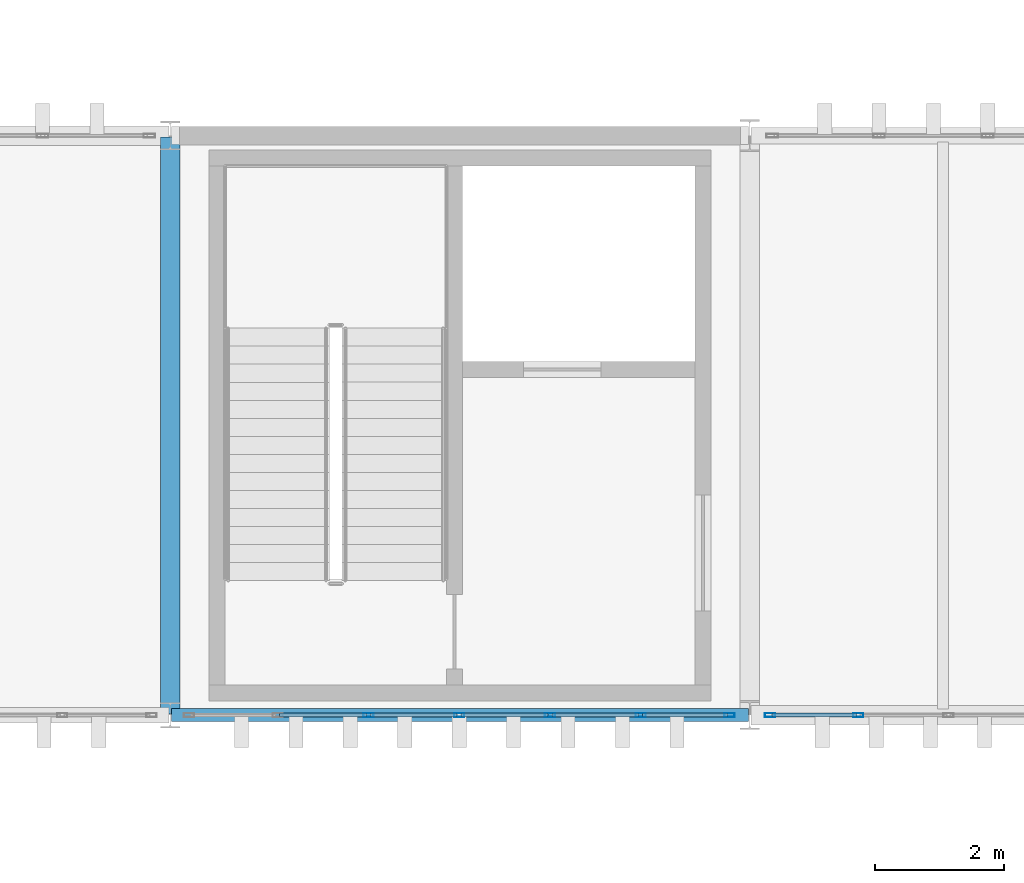
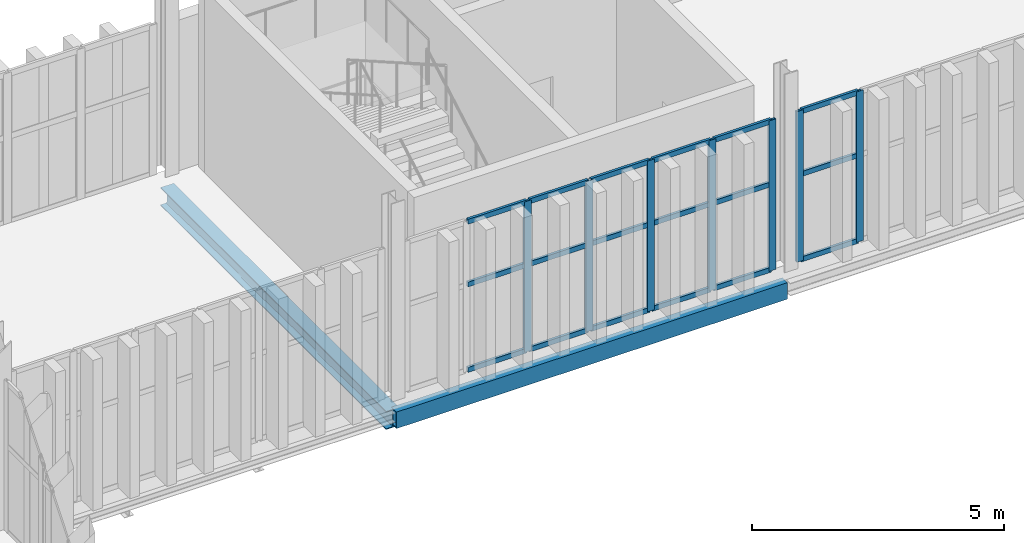
# One storey, part 136 of 196: 25 members, 2 beams, 2 elements without a shape of their own.
"""IFC4 building model written with IfcOpenShell, lengths in metres."""

import ifcopenshell
import ifcopenshell.guid

model = None  # the IFC model being written
_history = None  # IfcOwnerHistory: only IFC2X3 demands one
_inside = {}  # id of a spatial element -> (the spatial element, [elements in it])
_under = {}  # id of a project, library or spatial element -> (it, [spatial elements below it])
_declared = {}  # id of a project -> (the project, [libraries it declares])
_typed = {}  # id of a type object -> (the type object, [elements of that type])
_made_of = {}  # id of a material, layer set ... -> (it, [elements and type objects made of it])


def new_model(schema):
    """Start an empty IFC model of exactly this schema.

    Asked for "IFC4X3", IfcOpenShell would pick the latest addendum, in which some entities
    have other attributes; the version numbers below select the first issue.
    IFC2X3 requires an IfcOwnerHistory on every rooted entity: one is made here for all.
    """
    global model, _history
    if schema == "IFC4X3":
        model = ifcopenshell.file(schema_version=(4, 3, 0, 0))
    else:
        model = ifcopenshell.file(schema=schema)
    _inside.clear()
    _under.clear()
    _declared.clear()
    _typed.clear()
    _made_of.clear()
    _history = None
    if model.schema == "IFC2X3":
        org = make("IfcOrganization", Name="unknown")
        user = make(
            "IfcPersonAndOrganization",
            ThePerson=make("IfcPerson", FamilyName="unknown"),
            TheOrganization=org,
        )
        app = make(
            "IfcApplication",
            ApplicationDeveloper=org,
            Version="unknown",
            ApplicationFullName="unknown",
            ApplicationIdentifier="unknown",
        )
        _history = make(
            "IfcOwnerHistory",
            OwningUser=user,
            OwningApplication=app,
            ChangeAction="ADDED",
            CreationDate=0,
        )
    return model


def make(cls, **values):
    """One entity of the class cls with the attributes given. An attribute that is None is left unset."""
    return model.create_entity(
        cls, **{name: value for name, value in values.items() if value is not None}
    )


def rooted(cls, **values):
    """An entity with a GlobalId (a new one), such as an element, a storey or a relation."""
    return make(cls, GlobalId=ifcopenshell.guid.new(), OwnerHistory=_history, **values)


def si_unit(unit_type, name, prefix=None):
    """IfcSIUnit, for example si_unit("LENGTHUNIT", "METRE", prefix="MILLI")."""
    return make("IfcSIUnit", UnitType=unit_type, Prefix=prefix, Name=name)


def assignment(units):
    """IfcUnitAssignment: the units of a project."""
    return None if units is None else make("IfcUnitAssignment", Units=units)


def point(xyz):
    """IfcCartesianPoint."""
    return None if xyz is None else make("IfcCartesianPoint", Coordinates=xyz)


def direction(xyz):
    """IfcDirection."""
    return None if xyz is None else make("IfcDirection", DirectionRatios=xyz)


def frame(location, z_axis=None, x_axis=None):
    """IfcAxis2Placement3D, a coordinate frame: its origin and axes. An axis left out is left unset."""
    return make(
        "IfcAxis2Placement3D",
        Location=point(location),
        Axis=direction(z_axis),
        RefDirection=direction(x_axis),
    )


def frame_2d(location, x_axis=None):
    """IfcAxis2Placement2D, a coordinate frame in the plane: its origin and x axis."""
    return make(
        "IfcAxis2Placement2D", Location=point(location), RefDirection=direction(x_axis)
    )


def origin():
    """The frame at (0, 0, 0) with its axes left unset."""
    return frame((0.0, 0.0, 0.0))


def origin_2d():
    """The frame at (0, 0) in the plane with its x axis left unset."""
    return frame_2d((0.0, 0.0))


def place(relative_to, where):
    """IfcLocalPlacement: puts the frame where relative to a parent placement (None: the world)."""
    return make(
        "IfcLocalPlacement", PlacementRelTo=relative_to, RelativePlacement=where
    )


def context(
    kind, dimensions, precision=None, world=None, true_north=None, identifier=None
):
    """IfcGeometricRepresentationContext, for example the 3D "Model" context."""
    return make(
        "IfcGeometricRepresentationContext",
        ContextIdentifier=identifier,
        ContextType=kind,
        CoordinateSpaceDimension=dimensions,
        Precision=precision,
        WorldCoordinateSystem=world,
        TrueNorth=true_north,
    )


def subcontext(parent, identifier, kind, view, scale=None):
    """IfcGeometricRepresentationSubContext, for example "Body" below "Model"."""
    return make(
        "IfcGeometricRepresentationSubContext",
        ContextIdentifier=identifier,
        ContextType=kind,
        ParentContext=parent,
        TargetScale=scale,
        TargetView=view,
    )


def project(units=None, contexts=None):
    """IfcProject with its units and contexts."""
    return rooted(
        "IfcProject",
        Name="project",
        RepresentationContexts=contexts,
        UnitsInContext=assignment(units),
    )


def spatial(cls, under=None, at=None, **own):
    """A site, building, storey or space (cls), placed at a placement, below another one or the project."""
    s = rooted(cls, ObjectPlacement=at, **own)
    if under is not None:
        _under.setdefault(under.id(), (under, []))[1].append(s)
    return s


def profile(cls, at=None, kind="AREA", **sizes):
    """A parametric profile (cls). Its sizes go by their IFC names, for example OverallWidth=200.0."""
    return make(cls, ProfileType=kind, Position=at, **sizes)


def hollow_rectangle(**sizes):
    """IfcRectangleHollowProfileDef."""
    return profile("IfcRectangleHollowProfileDef", **sizes)


def i_section(**sizes):
    """IfcIShapeProfileDef."""
    return profile("IfcIShapeProfileDef", **sizes)


def extrude(swept, where, along, depth):
    """IfcExtrudedAreaSolid: the profile swept, set in the frame where, extruded along a direction by depth."""
    return make(
        "IfcExtrudedAreaSolid",
        SweptArea=swept,
        Position=where,
        ExtrudedDirection=direction(along),
        Depth=depth,
    )


def shape(context_of_items, identifier, shape_type, items):
    """IfcShapeRepresentation: the items that make up one representation, for example the "Body"."""
    return make(
        "IfcShapeRepresentation",
        ContextOfItems=context_of_items,
        RepresentationIdentifier=identifier,
        RepresentationType=shape_type,
        Items=items,
    )


def material(Name=None, Category=None):
    """IfcMaterial."""
    return make("IfcMaterial", Name=Name, Category=Category)


def layer(
    of_material, thickness, ventilated=None, Name=None, Category=None, Priority=None
):
    """IfcMaterialLayer: one layer of a wall or slab, of a material (None: an air gap)."""
    return make(
        "IfcMaterialLayer",
        Material=of_material,
        LayerThickness=thickness,
        IsVentilated=ventilated,
        Name=Name,
        Category=Category,
        Priority=Priority,
    )


def layer_set(layers, Name=None):
    """IfcMaterialLayerSet."""
    return make("IfcMaterialLayerSet", MaterialLayers=layers, LayerSetName=Name)


def material_profile(
    of_material, cross_section, Name=None, Category=None, Priority=None
):
    """IfcMaterialProfile: a cross section and its material."""
    return make(
        "IfcMaterialProfile",
        Name=Name,
        Material=of_material,
        Profile=cross_section,
        Priority=Priority,
        Category=Category,
    )


def profile_set(profiles, Name=None, composite=None):
    """IfcMaterialProfileSet."""
    return make(
        "IfcMaterialProfileSet",
        Name=Name,
        MaterialProfiles=profiles,
        CompositeProfile=composite,
    )


def made_of(thing, what):
    """Note that an element or type object is made of a material, layer set ...; save() writes the relation."""
    if what is not None:
        _made_of.setdefault(what.id(), (what, []))[1].append(thing)
    return thing


def type_object(cls, material=None, **own):
    """A type object (cls), such as IfcWallType, which elements share."""
    return made_of(rooted(cls, **own), material)


def element(
    cls,
    number,
    at=None,
    inside=None,
    cuts=None,
    type_object=None,
    material=None,
    context=None,
    identifier="Body",
    shape_type=None,
    held_by="IfcProductDefinitionShape",
    body=None,
    shapes=None,
    **own,
):
    """One element of the class cls, such as IfcWall. Its Tag is "e" and its number.

    at: its placement. inside: the storey or other place that contains it. cuts: it is an
    opening in that element (IfcRelVoidsElement). A single representation is given by context,
    identifier, shape_type and body (its items); several are given by shapes. held_by: the class
    of the entity that holds the representations. save() writes the other relations.
    """
    e = rooted(cls, Tag="e%d" % number, ObjectPlacement=at, **own)
    if body is not None:
        shapes = [shape(context, identifier, shape_type, body)]
    if shapes is not None:
        e.Representation = make(held_by, Representations=shapes)
    if inside is not None:
        _inside.setdefault(inside.id(), (inside, []))[1].append(e)
    if cuts is not None:
        rooted(
            "IfcRelVoidsElement", RelatingBuildingElement=cuts, RelatedOpeningElement=e
        )
    if type_object is not None:
        _typed.setdefault(type_object.id(), (type_object, []))[1].append(e)
    return made_of(e, material)


def aggregate(whole, parts):
    """IfcRelAggregates: a whole, such as a stair, and the parts it consists of."""
    return rooted("IfcRelAggregates", RelatingObject=whole, RelatedObjects=parts)


def save(model, path):
    """Write the relations noted so far, then the file.

    IfcRelAggregates (storeys below a building ...), IfcRelContainedInSpatialStructure (elements
    in a storey), IfcRelDefinesByType, IfcRelAssociatesMaterial and IfcRelDeclares: one each for
    every whole, place, type object, material and project.
    """
    for whole, parts in _under.values():
        aggregate(whole, parts)
    for where, things in _inside.values():
        rooted(
            "IfcRelContainedInSpatialStructure",
            RelatedElements=things,
            RelatingStructure=where,
        )
    for kind, things in _typed.values():
        rooted("IfcRelDefinesByType", RelatedObjects=things, RelatingType=kind)
    for what, things in _made_of.values():
        rooted("IfcRelAssociatesMaterial", RelatedObjects=things, RelatingMaterial=what)
    for by, libraries in _declared.values():
        rooted("IfcRelDeclares", RelatingContext=by, RelatedDefinitions=libraries)
    model.write(path)


model = new_model("IFC4")

# Units and contexts
model_context = context("Model", 3, precision=1e-05, world=origin(), true_north=direction((0.0, 1.0)))
body_context = subcontext(model_context, "Body", "Model", "MODEL_VIEW")
ifc_project = project(units=[si_unit("LENGTHUNIT", "METRE"), si_unit("AREAUNIT", "SQUARE_METRE"), si_unit("VOLUMEUNIT", "CUBIC_METRE"), si_unit("PLANEANGLEUNIT", "RADIAN"), si_unit("MASSUNIT", "GRAM", prefix="KILO")], contexts=[model_context])

# Site, building, storey
site_placement = place(None, origin())
site = spatial("IfcSite", under=ifc_project, at=site_placement, CompositionType="ELEMENT")
building_placement = place(site_placement, origin())
building = spatial("IfcBuilding", under=site, at=building_placement, Name="Barlavento Convention Centre", CompositionType="ELEMENT")
storey_placement = place(building_placement, frame((0.0, 0.0, 18.0)))
storey = spatial("IfcBuildingStorey", under=building, at=storey_placement, Name="L03", CompositionType="ELEMENT", Elevation=18.0)

# Curtain wall, members
ifc_material_1 = material(Name="Powder-coated aluminium and Low-E glass", Category="aluminium")
ifc_layer = layer(ifc_material_1, 0.179931640625)
ifc_layer_set = layer_set([ifc_layer], Name="ARC-CW-PATIO-B")
curtain_wall_type = type_object("IfcCurtainWallType", Name="ARC-CW-PATIO-B", PredefinedType="NOTDEFINED", material=ifc_layer_set)
curtain_wall_1_placement = place(storey_placement, origin())
curtain_wall_1 = element("IfcCurtainWall", 1, at=curtain_wall_1_placement, inside=storey, type_object=curtain_wall_type, Name="L03 unitised curtain wall CW12", PredefinedType="NOTDEFINED")
ifc_material_2 = material(Name="Powder-coated aluminium", Category="aluminium")
ifc_material_profile_1 = material_profile(ifc_material_2, hollow_rectangle(XDim=0.06005859375, YDim=0.159912109375, WallThickness=0.00390625, at=origin_2d()), Name="AL-MULL 60x160x4")
ifc_profile_set_1 = profile_set([ifc_material_profile_1], Name="Powder-coated aluminium")
member_type_1 = type_object("IfcMemberType", Name="ARC-CWM-60X160", PredefinedType="MULLION", material=ifc_profile_set_1)
member_1_placement = place(storey_placement, frame((147.078369140625, 90.0, 0.0), z_axis=(0.0, 0.0, 1.0), x_axis=(0.0, 1.0, 0.0)))
member_1 = element("IfcMember", 2, at=member_1_placement, type_object=member_type_1, Name="CW12 mullion 3", PredefinedType="MULLION", context=body_context, shape_type="SweptSolid", body=[
    extrude(hollow_rectangle(XDim=0.06005859375, YDim=0.159912109375, WallThickness=0.00390625, at=origin_2d()), origin(), (0.0, 0.0, 1.0), 3.64990234375),
])
member_2_placement = place(storey_placement, frame((148.487548828125, 90.0, 0.0), z_axis=(0.0, 0.0, 1.0), x_axis=(0.0, 1.0, 0.0)))
member_2 = element("IfcMember", 3, at=member_2_placement, type_object=member_type_1, Name="CW12 mullion 4", PredefinedType="MULLION", context=body_context, shape_type="SweptSolid", body=[
    extrude(hollow_rectangle(XDim=0.06005859375, YDim=0.159912109375, WallThickness=0.00390625, at=origin_2d()), origin(), (0.0, 0.0, 1.0), 3.64990234375),
])
member_3_placement = place(storey_placement, frame((149.896728515625, 90.0, 0.0), z_axis=(0.0, 0.0, 1.0), x_axis=(0.0, 1.0, 0.0)))
member_3 = element("IfcMember", 4, at=member_3_placement, type_object=member_type_1, Name="CW12 mullion 5", PredefinedType="MULLION", context=body_context, shape_type="SweptSolid", body=[
    extrude(hollow_rectangle(XDim=0.06005859375, YDim=0.159912109375, WallThickness=0.00390625, at=origin_2d()), origin(), (0.0, 0.0, 1.0), 3.64990234375),
])
member_4_placement = place(storey_placement, frame((151.305908203125, 90.0, 0.0), z_axis=(0.0, 0.0, 1.0), x_axis=(0.0, 1.0, 0.0)))
member_4 = element("IfcMember", 5, at=member_4_placement, type_object=member_type_1, Name="CW12 mullion 6", PredefinedType="MULLION", context=body_context, shape_type="SweptSolid", body=[
    extrude(hollow_rectangle(XDim=0.06005859375, YDim=0.159912109375, WallThickness=0.00390625, at=origin_2d()), origin(), (0.0, 0.0, 1.0), 3.64990234375),
])
member_5_placement = place(storey_placement, frame((152.68505859375, 90.0, 0.0), z_axis=(0.0, 0.0, 1.0), x_axis=(0.0, 1.0, 0.0)))
member_5 = element("IfcMember", 6, at=member_5_placement, type_object=member_type_1, Name="CW12 mullion 7", PredefinedType="MULLION", context=body_context, shape_type="SweptSolid", body=[
    extrude(hollow_rectangle(XDim=0.06005859375, YDim=0.159912109375, WallThickness=0.00390625, at=origin_2d()), origin(), (0.0, 0.0, 1.0), 3.64990234375),
])

curtain_wall_2_placement = place(storey_placement, origin())
curtain_wall_2 = element("IfcCurtainWall", 7, at=curtain_wall_2_placement, inside=storey, type_object=curtain_wall_type, Name="L03 unitised curtain wall CW12", PredefinedType="NOTDEFINED")
member_6_placement = place(storey_placement, frame((153.31494140625, 90.0, 0.0), z_axis=(0.0, 0.0, 1.0), x_axis=(0.0, 1.0, 0.0)))
member_6 = element("IfcMember", 8, at=member_6_placement, type_object=member_type_1, Name="CW12 mullion 1", PredefinedType="MULLION", context=body_context, shape_type="SweptSolid", body=[
    extrude(hollow_rectangle(XDim=0.06005859375, YDim=0.159912109375, WallThickness=0.00390625, at=origin_2d()), origin(), (0.0, 0.0, 1.0), 3.64990234375),
])
member_7_placement = place(storey_placement, frame((154.685791015625, 90.0, 0.0), z_axis=(0.0, 0.0, 1.0), x_axis=(0.0, 1.0, 0.0)))
member_7 = element("IfcMember", 9, at=member_7_placement, type_object=member_type_1, Name="CW12 mullion 2", PredefinedType="MULLION", context=body_context, shape_type="SweptSolid", body=[
    extrude(hollow_rectangle(XDim=0.06005859375, YDim=0.159912109375, WallThickness=0.00390625, at=origin_2d()), origin(), (0.0, 0.0, 1.0), 3.64990234375),
])

# Member
ifc_material_profile_2 = material_profile(ifc_material_2, hollow_rectangle(XDim=0.06005859375, YDim=0.1201171875, WallThickness=0.00390625, at=origin_2d()), Name="AL-TRAN 60x120x4")
ifc_profile_set_2 = profile_set([ifc_material_profile_2], Name="Powder-coated aluminium")
member_type_2 = type_object("IfcMemberType", Name="ARC-CWT-60X120", PredefinedType="USERDEFINED", material=ifc_profile_set_2)
member_8_placement = place(storey_placement, frame((145.69921875, 90.0, 0.030029296875), z_axis=(1.0, 0.0, 0.0), x_axis=(0.0, 1.0, 0.0)))
member_8 = element("IfcMember", 10, at=member_8_placement, type_object=member_type_2, Name="CW12 transom 2.1", ObjectType="TRANSOM", PredefinedType="USERDEFINED", context=body_context, shape_type="SweptSolid", body=[
    extrude(hollow_rectangle(XDim=0.06005859375, YDim=0.1201171875, WallThickness=0.00390625, at=origin_2d()), origin(), (0.0, 0.0, 1.0), 1.34912109375),
])

member_9_placement = place(storey_placement, frame((145.69921875, 90.0, 2.10009765625), z_axis=(1.0, 0.0, 0.0), x_axis=(0.0, 1.0, 0.0)))
member_9 = element("IfcMember", 11, at=member_9_placement, type_object=member_type_2, Name="CW12 transom 2.2", ObjectType="TRANSOM", PredefinedType="USERDEFINED", context=body_context, shape_type="SweptSolid", body=[
    extrude(hollow_rectangle(XDim=0.06005859375, YDim=0.1201171875, WallThickness=0.00390625, at=origin_2d()), origin(), (0.0, 0.0, 1.0), 1.34912109375),
])

member_10_placement = place(storey_placement, frame((145.69921875, 90.0, 3.6201171875), z_axis=(1.0, 0.0, 0.0), x_axis=(0.0, 1.0, 0.0)))
member_10 = element("IfcMember", 12, at=member_10_placement, type_object=member_type_2, Name="CW12 transom 2.3", ObjectType="TRANSOM", PredefinedType="USERDEFINED", context=body_context, shape_type="SweptSolid", body=[
    extrude(hollow_rectangle(XDim=0.06005859375, YDim=0.1201171875, WallThickness=0.00390625, at=origin_2d()), origin(), (0.0, 0.0, 1.0), 1.34912109375),
])

member_11_placement = place(storey_placement, frame((147.1083984375, 90.0, 0.030029296875), z_axis=(1.0, 0.0, 0.0), x_axis=(0.0, 1.0, 0.0)))
member_11 = element("IfcMember", 13, at=member_11_placement, type_object=member_type_2, Name="CW12 transom 3.1", ObjectType="TRANSOM", PredefinedType="USERDEFINED", context=body_context, shape_type="SweptSolid", body=[
    extrude(hollow_rectangle(XDim=0.06005859375, YDim=0.1201171875, WallThickness=0.00390625, at=origin_2d()), origin(), (0.0, 0.0, 1.0), 1.34912109375),
])

member_12_placement = place(storey_placement, frame((147.1083984375, 90.0, 2.10009765625), z_axis=(1.0, 0.0, 0.0), x_axis=(0.0, 1.0, 0.0)))
member_12 = element("IfcMember", 14, at=member_12_placement, type_object=member_type_2, Name="CW12 transom 3.2", ObjectType="TRANSOM", PredefinedType="USERDEFINED", context=body_context, shape_type="SweptSolid", body=[
    extrude(hollow_rectangle(XDim=0.06005859375, YDim=0.1201171875, WallThickness=0.00390625, at=origin_2d()), origin(), (0.0, 0.0, 1.0), 1.34912109375),
])

member_13_placement = place(storey_placement, frame((147.1083984375, 90.0, 3.6201171875), z_axis=(1.0, 0.0, 0.0), x_axis=(0.0, 1.0, 0.0)))
member_13 = element("IfcMember", 15, at=member_13_placement, type_object=member_type_2, Name="CW12 transom 3.3", ObjectType="TRANSOM", PredefinedType="USERDEFINED", context=body_context, shape_type="SweptSolid", body=[
    extrude(hollow_rectangle(XDim=0.06005859375, YDim=0.1201171875, WallThickness=0.00390625, at=origin_2d()), origin(), (0.0, 0.0, 1.0), 1.34912109375),
])

member_14_placement = place(storey_placement, frame((148.517578125, 90.0, 0.030029296875), z_axis=(1.0, 0.0, 0.0), x_axis=(0.0, 1.0, 0.0)))
member_14 = element("IfcMember", 16, at=member_14_placement, type_object=member_type_2, Name="CW12 transom 4.1", ObjectType="TRANSOM", PredefinedType="USERDEFINED", context=body_context, shape_type="SweptSolid", body=[
    extrude(hollow_rectangle(XDim=0.06005859375, YDim=0.1201171875, WallThickness=0.00390625, at=origin_2d()), origin(), (0.0, 0.0, 1.0), 1.34912109375),
])

member_15_placement = place(storey_placement, frame((148.517578125, 90.0, 2.10009765625), z_axis=(1.0, 0.0, 0.0), x_axis=(0.0, 1.0, 0.0)))
member_15 = element("IfcMember", 17, at=member_15_placement, type_object=member_type_2, Name="CW12 transom 4.2", ObjectType="TRANSOM", PredefinedType="USERDEFINED", context=body_context, shape_type="SweptSolid", body=[
    extrude(hollow_rectangle(XDim=0.06005859375, YDim=0.1201171875, WallThickness=0.00390625, at=origin_2d()), origin(), (0.0, 0.0, 1.0), 1.34912109375),
])

member_16_placement = place(storey_placement, frame((148.517578125, 90.0, 3.6201171875), z_axis=(1.0, 0.0, 0.0), x_axis=(0.0, 1.0, 0.0)))
member_16 = element("IfcMember", 18, at=member_16_placement, type_object=member_type_2, Name="CW12 transom 4.3", ObjectType="TRANSOM", PredefinedType="USERDEFINED", context=body_context, shape_type="SweptSolid", body=[
    extrude(hollow_rectangle(XDim=0.06005859375, YDim=0.1201171875, WallThickness=0.00390625, at=origin_2d()), origin(), (0.0, 0.0, 1.0), 1.34912109375),
])

member_17_placement = place(storey_placement, frame((149.9267578125, 90.0, 0.030029296875), z_axis=(1.0, 0.0, 0.0), x_axis=(0.0, 1.0, 0.0)))
member_17 = element("IfcMember", 19, at=member_17_placement, type_object=member_type_2, Name="CW12 transom 5.1", ObjectType="TRANSOM", PredefinedType="USERDEFINED", context=body_context, shape_type="SweptSolid", body=[
    extrude(hollow_rectangle(XDim=0.06005859375, YDim=0.1201171875, WallThickness=0.00390625, at=origin_2d()), origin(), (0.0, 0.0, 1.0), 1.34912109375),
])

member_18_placement = place(storey_placement, frame((149.9267578125, 90.0, 2.10009765625), z_axis=(1.0, 0.0, 0.0), x_axis=(0.0, 1.0, 0.0)))
member_18 = element("IfcMember", 20, at=member_18_placement, type_object=member_type_2, Name="CW12 transom 5.2", ObjectType="TRANSOM", PredefinedType="USERDEFINED", context=body_context, shape_type="SweptSolid", body=[
    extrude(hollow_rectangle(XDim=0.06005859375, YDim=0.1201171875, WallThickness=0.00390625, at=origin_2d()), origin(), (0.0, 0.0, 1.0), 1.34912109375),
])

member_19_placement = place(storey_placement, frame((149.9267578125, 90.0, 3.6201171875), z_axis=(1.0, 0.0, 0.0), x_axis=(0.0, 1.0, 0.0)))
member_19 = element("IfcMember", 21, at=member_19_placement, type_object=member_type_2, Name="CW12 transom 5.3", ObjectType="TRANSOM", PredefinedType="USERDEFINED", context=body_context, shape_type="SweptSolid", body=[
    extrude(hollow_rectangle(XDim=0.06005859375, YDim=0.1201171875, WallThickness=0.00390625, at=origin_2d()), origin(), (0.0, 0.0, 1.0), 1.34912109375),
])

member_20_placement = place(storey_placement, frame((151.3359375, 90.0, 0.030029296875), z_axis=(1.0, 0.0, 0.0), x_axis=(0.0, 1.0, 0.0)))
member_20 = element("IfcMember", 22, at=member_20_placement, type_object=member_type_2, Name="CW12 transom 6.1", ObjectType="TRANSOM", PredefinedType="USERDEFINED", context=body_context, shape_type="SweptSolid", body=[
    extrude(hollow_rectangle(XDim=0.06005859375, YDim=0.1201171875, WallThickness=0.00390625, at=origin_2d()), origin(), (0.0, 0.0, 1.0), 1.319091796875),
])

member_21_placement = place(storey_placement, frame((151.3359375, 90.0, 2.10009765625), z_axis=(1.0, 0.0, 0.0), x_axis=(0.0, 1.0, 0.0)))
member_21 = element("IfcMember", 23, at=member_21_placement, type_object=member_type_2, Name="CW12 transom 6.2", ObjectType="TRANSOM", PredefinedType="USERDEFINED", context=body_context, shape_type="SweptSolid", body=[
    extrude(hollow_rectangle(XDim=0.06005859375, YDim=0.1201171875, WallThickness=0.00390625, at=origin_2d()), origin(), (0.0, 0.0, 1.0), 1.319091796875),
])

member_22_placement = place(storey_placement, frame((151.3359375, 90.0, 3.6201171875), z_axis=(1.0, 0.0, 0.0), x_axis=(0.0, 1.0, 0.0)))
member_22 = element("IfcMember", 24, at=member_22_placement, type_object=member_type_2, Name="CW12 transom 6.3", ObjectType="TRANSOM", PredefinedType="USERDEFINED", context=body_context, shape_type="SweptSolid", body=[
    extrude(hollow_rectangle(XDim=0.06005859375, YDim=0.1201171875, WallThickness=0.00390625, at=origin_2d()), origin(), (0.0, 0.0, 1.0), 1.319091796875),
])

aggregate(curtain_wall_1, [member_1, member_2, member_3, member_4, member_5, member_8, member_9, member_10, member_11, member_12, member_13, member_14, member_15, member_16, member_17, member_18, member_19, member_20, member_21, member_22])

member_23_placement = place(storey_placement, frame((153.344970703125, 90.0, 0.030029296875), z_axis=(1.0, 0.0, 0.0), x_axis=(0.0, 1.0, 0.0)))
member_23 = element("IfcMember", 25, at=member_23_placement, type_object=member_type_2, Name="CW12 transom 1.1", ObjectType="TRANSOM", PredefinedType="USERDEFINED", context=body_context, shape_type="SweptSolid", body=[
    extrude(hollow_rectangle(XDim=0.06005859375, YDim=0.1201171875, WallThickness=0.00390625, at=origin_2d()), origin(), (0.0, 0.0, 1.0), 1.310791015625),
])

member_24_placement = place(storey_placement, frame((153.344970703125, 90.0, 2.10009765625), z_axis=(1.0, 0.0, 0.0), x_axis=(0.0, 1.0, 0.0)))
member_24 = element("IfcMember", 26, at=member_24_placement, type_object=member_type_2, Name="CW12 transom 1.2", ObjectType="TRANSOM", PredefinedType="USERDEFINED", context=body_context, shape_type="SweptSolid", body=[
    extrude(hollow_rectangle(XDim=0.06005859375, YDim=0.1201171875, WallThickness=0.00390625, at=origin_2d()), origin(), (0.0, 0.0, 1.0), 1.310791015625),
])

member_25_placement = place(storey_placement, frame((153.344970703125, 90.0, 3.6201171875), z_axis=(1.0, 0.0, 0.0), x_axis=(0.0, 1.0, 0.0)))
member_25 = element("IfcMember", 27, at=member_25_placement, type_object=member_type_2, Name="CW12 transom 1.3", ObjectType="TRANSOM", PredefinedType="USERDEFINED", context=body_context, shape_type="SweptSolid", body=[
    extrude(hollow_rectangle(XDim=0.06005859375, YDim=0.1201171875, WallThickness=0.00390625, at=origin_2d()), origin(), (0.0, 0.0, 1.0), 1.310791015625),
])

aggregate(curtain_wall_2, [member_6, member_7, member_23, member_24, member_25])

# Beams
ifc_material_3 = material(Name="Steel S355", Category="steel")
ifc_material_profile_3 = material_profile(ifc_material_3, i_section(OverallWidth=0.300048828125, OverallDepth=0.43994140625, WebThickness=0.011474609375, FlangeThickness=0.02099609375, FilletRadius=0.027099609375, at=origin_2d()), Name="HEA 450")
ifc_profile_set_3 = profile_set([ifc_material_profile_3], Name="Steel S355")
beam_type_1 = type_object("IfcBeamType", Name="STR-BM-PRI-HEA450", PredefinedType="BEAM", material=ifc_profile_set_3)
beam_1_placement = place(storey_placement, frame((144.0, 90.02001953125, -0.580078125), z_axis=(0.0, 1.0, 0.0), x_axis=(-1.0, 0.0, 0.0)))
element("IfcBeam", 28, at=beam_1_placement, inside=storey, type_object=beam_type_1, Name="L03 grid girder BG21", PredefinedType="BEAM", context=body_context, shape_type="SweptSolid", body=[
    extrude(i_section(OverallWidth=0.300048828125, OverallDepth=0.43994140625, WebThickness=0.011474609375, FlangeThickness=0.02099609375, FilletRadius=0.027099609375, at=origin_2d()), origin(), (0.0, 0.0, 1.0), 8.9599609375),
])
ifc_material_profile_4 = material_profile(ifc_material_3, hollow_rectangle(XDim=0.199951171875, YDim=0.39990234375, WallThickness=0.01611328125, at=origin_2d()), Name="RHS 400x200x16.0")
ifc_profile_set_4 = profile_set([ifc_material_profile_4], Name="Steel S355")
beam_type_2 = type_object("IfcBeamType", Name="STR-BM-SPN-RHS400", PredefinedType="SPANDREL", material=ifc_profile_set_4)
beam_2_placement = place(storey_placement, frame((144.02001953125, 90.0, -0.56005859375), z_axis=(1.0, 0.0, 0.0), x_axis=(0.0, 1.0, 0.0)))
element("IfcBeam", 29, at=beam_2_placement, inside=storey, type_object=beam_type_2, Name="L03 primary girder SP06", PredefinedType="SPANDREL", context=body_context, shape_type="SweptSolid", body=[
    extrude(hollow_rectangle(XDim=0.199951171875, YDim=0.39990234375, WallThickness=0.01611328125, at=origin_2d()), origin(), (0.0, 0.0, 1.0), 8.9599609375),
])

save(model, "model.ifc")
